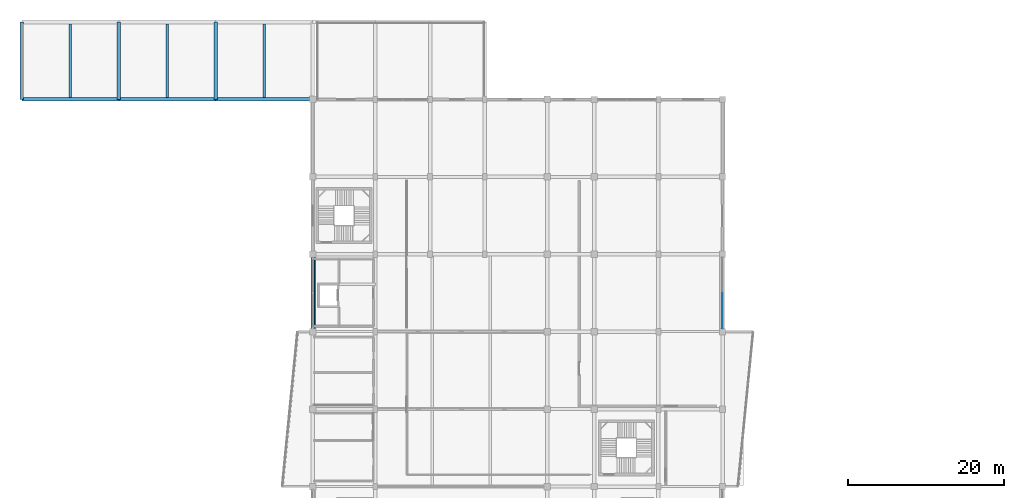
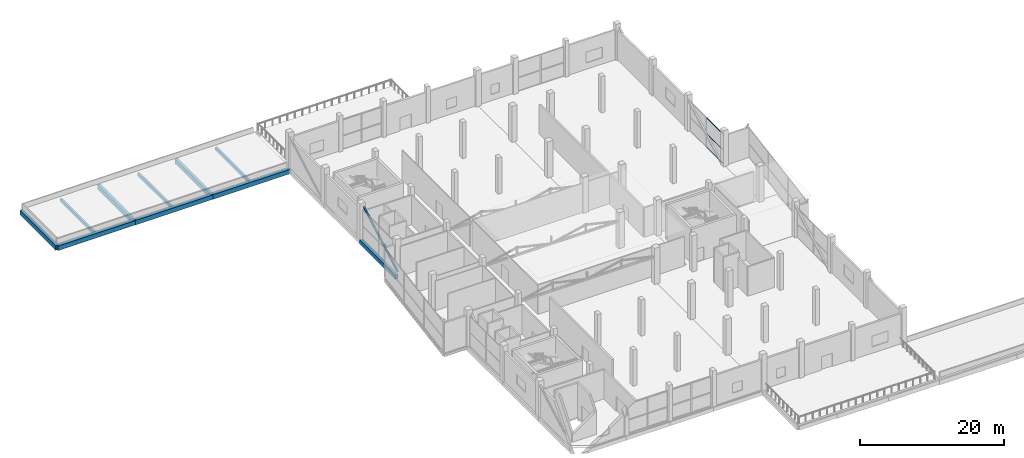
# One storey, part 24 of 58: 10 beams, 4 members, 1 element without a shape of its own.
"""IFC4 building model written with IfcOpenShell, lengths in metres."""

import ifcopenshell
import ifcopenshell.guid

model = None  # the IFC model being written
_history = None  # IfcOwnerHistory: only IFC2X3 demands one
_inside = {}  # id of a spatial element -> (the spatial element, [elements in it])
_under = {}  # id of a project, library or spatial element -> (it, [spatial elements below it])
_declared = {}  # id of a project -> (the project, [libraries it declares])
_typed = {}  # id of a type object -> (the type object, [elements of that type])
_made_of = {}  # id of a material, layer set ... -> (it, [elements and type objects made of it])


def new_model(schema):
    """Start an empty IFC model of exactly this schema.

    Asked for "IFC4X3", IfcOpenShell would pick the latest addendum, in which some entities
    have other attributes; the version numbers below select the first issue.
    IFC2X3 requires an IfcOwnerHistory on every rooted entity: one is made here for all.
    """
    global model, _history
    if schema == "IFC4X3":
        model = ifcopenshell.file(schema_version=(4, 3, 0, 0))
    else:
        model = ifcopenshell.file(schema=schema)
    _inside.clear()
    _under.clear()
    _declared.clear()
    _typed.clear()
    _made_of.clear()
    _history = None
    if model.schema == "IFC2X3":
        org = make("IfcOrganization", Name="unknown")
        user = make(
            "IfcPersonAndOrganization",
            ThePerson=make("IfcPerson", FamilyName="unknown"),
            TheOrganization=org,
        )
        app = make(
            "IfcApplication",
            ApplicationDeveloper=org,
            Version="unknown",
            ApplicationFullName="unknown",
            ApplicationIdentifier="unknown",
        )
        _history = make(
            "IfcOwnerHistory",
            OwningUser=user,
            OwningApplication=app,
            ChangeAction="ADDED",
            CreationDate=0,
        )
    return model


def make(cls, **values):
    """One entity of the class cls with the attributes given. An attribute that is None is left unset."""
    return model.create_entity(
        cls, **{name: value for name, value in values.items() if value is not None}
    )


def rooted(cls, **values):
    """An entity with a GlobalId (a new one), such as an element, a storey or a relation."""
    return make(cls, GlobalId=ifcopenshell.guid.new(), OwnerHistory=_history, **values)


def si_unit(unit_type, name, prefix=None):
    """IfcSIUnit, for example si_unit("LENGTHUNIT", "METRE", prefix="MILLI")."""
    return make("IfcSIUnit", UnitType=unit_type, Prefix=prefix, Name=name)


def assignment(units):
    """IfcUnitAssignment: the units of a project."""
    return None if units is None else make("IfcUnitAssignment", Units=units)


def point(xyz):
    """IfcCartesianPoint."""
    return None if xyz is None else make("IfcCartesianPoint", Coordinates=xyz)


def direction(xyz):
    """IfcDirection."""
    return None if xyz is None else make("IfcDirection", DirectionRatios=xyz)


def frame(location, z_axis=None, x_axis=None):
    """IfcAxis2Placement3D, a coordinate frame: its origin and axes. An axis left out is left unset."""
    return make(
        "IfcAxis2Placement3D",
        Location=point(location),
        Axis=direction(z_axis),
        RefDirection=direction(x_axis),
    )


def frame_2d(location, x_axis=None):
    """IfcAxis2Placement2D, a coordinate frame in the plane: its origin and x axis."""
    return make(
        "IfcAxis2Placement2D", Location=point(location), RefDirection=direction(x_axis)
    )


def origin():
    """The frame at (0, 0, 0) with its axes left unset."""
    return frame((0.0, 0.0, 0.0))


def origin_2d():
    """The frame at (0, 0) in the plane with its x axis left unset."""
    return frame_2d((0.0, 0.0))


def place(relative_to, where):
    """IfcLocalPlacement: puts the frame where relative to a parent placement (None: the world)."""
    return make(
        "IfcLocalPlacement", PlacementRelTo=relative_to, RelativePlacement=where
    )


def context(
    kind, dimensions, precision=None, world=None, true_north=None, identifier=None
):
    """IfcGeometricRepresentationContext, for example the 3D "Model" context."""
    return make(
        "IfcGeometricRepresentationContext",
        ContextIdentifier=identifier,
        ContextType=kind,
        CoordinateSpaceDimension=dimensions,
        Precision=precision,
        WorldCoordinateSystem=world,
        TrueNorth=true_north,
    )


def subcontext(parent, identifier, kind, view, scale=None):
    """IfcGeometricRepresentationSubContext, for example "Body" below "Model"."""
    return make(
        "IfcGeometricRepresentationSubContext",
        ContextIdentifier=identifier,
        ContextType=kind,
        ParentContext=parent,
        TargetScale=scale,
        TargetView=view,
    )


def project(units=None, contexts=None):
    """IfcProject with its units and contexts."""
    return rooted(
        "IfcProject",
        Name="project",
        RepresentationContexts=contexts,
        UnitsInContext=assignment(units),
    )


def spatial(cls, under=None, at=None, **own):
    """A site, building, storey or space (cls), placed at a placement, below another one or the project."""
    s = rooted(cls, ObjectPlacement=at, **own)
    if under is not None:
        _under.setdefault(under.id(), (under, []))[1].append(s)
    return s


def profile(cls, at=None, kind="AREA", **sizes):
    """A parametric profile (cls). Its sizes go by their IFC names, for example OverallWidth=200.0."""
    return make(cls, ProfileType=kind, Position=at, **sizes)


def rectangle(**sizes):
    """IfcRectangleProfileDef."""
    return profile("IfcRectangleProfileDef", **sizes)


def hollow_rectangle(**sizes):
    """IfcRectangleHollowProfileDef."""
    return profile("IfcRectangleHollowProfileDef", **sizes)


def extrude(swept, where, along, depth):
    """IfcExtrudedAreaSolid: the profile swept, set in the frame where, extruded along a direction by depth."""
    return make(
        "IfcExtrudedAreaSolid",
        SweptArea=swept,
        Position=where,
        ExtrudedDirection=direction(along),
        Depth=depth,
    )


def shape(context_of_items, identifier, shape_type, items):
    """IfcShapeRepresentation: the items that make up one representation, for example the "Body"."""
    return make(
        "IfcShapeRepresentation",
        ContextOfItems=context_of_items,
        RepresentationIdentifier=identifier,
        RepresentationType=shape_type,
        Items=items,
    )


def material(Name=None, Category=None):
    """IfcMaterial."""
    return make("IfcMaterial", Name=Name, Category=Category)


def layer(
    of_material, thickness, ventilated=None, Name=None, Category=None, Priority=None
):
    """IfcMaterialLayer: one layer of a wall or slab, of a material (None: an air gap)."""
    return make(
        "IfcMaterialLayer",
        Material=of_material,
        LayerThickness=thickness,
        IsVentilated=ventilated,
        Name=Name,
        Category=Category,
        Priority=Priority,
    )


def layer_set(layers, Name=None):
    """IfcMaterialLayerSet."""
    return make("IfcMaterialLayerSet", MaterialLayers=layers, LayerSetName=Name)


def material_profile(
    of_material, cross_section, Name=None, Category=None, Priority=None
):
    """IfcMaterialProfile: a cross section and its material."""
    return make(
        "IfcMaterialProfile",
        Name=Name,
        Material=of_material,
        Profile=cross_section,
        Priority=Priority,
        Category=Category,
    )


def profile_set(profiles, Name=None, composite=None):
    """IfcMaterialProfileSet."""
    return make(
        "IfcMaterialProfileSet",
        Name=Name,
        MaterialProfiles=profiles,
        CompositeProfile=composite,
    )


def made_of(thing, what):
    """Note that an element or type object is made of a material, layer set ...; save() writes the relation."""
    if what is not None:
        _made_of.setdefault(what.id(), (what, []))[1].append(thing)
    return thing


def type_object(cls, material=None, **own):
    """A type object (cls), such as IfcWallType, which elements share."""
    return made_of(rooted(cls, **own), material)


def element(
    cls,
    number,
    at=None,
    inside=None,
    cuts=None,
    type_object=None,
    material=None,
    context=None,
    identifier="Body",
    shape_type=None,
    held_by="IfcProductDefinitionShape",
    body=None,
    shapes=None,
    **own,
):
    """One element of the class cls, such as IfcWall. Its Tag is "e" and its number.

    at: its placement. inside: the storey or other place that contains it. cuts: it is an
    opening in that element (IfcRelVoidsElement). A single representation is given by context,
    identifier, shape_type and body (its items); several are given by shapes. held_by: the class
    of the entity that holds the representations. save() writes the other relations.
    """
    e = rooted(cls, Tag="e%d" % number, ObjectPlacement=at, **own)
    if body is not None:
        shapes = [shape(context, identifier, shape_type, body)]
    if shapes is not None:
        e.Representation = make(held_by, Representations=shapes)
    if inside is not None:
        _inside.setdefault(inside.id(), (inside, []))[1].append(e)
    if cuts is not None:
        rooted(
            "IfcRelVoidsElement", RelatingBuildingElement=cuts, RelatedOpeningElement=e
        )
    if type_object is not None:
        _typed.setdefault(type_object.id(), (type_object, []))[1].append(e)
    return made_of(e, material)


def aggregate(whole, parts):
    """IfcRelAggregates: a whole, such as a stair, and the parts it consists of."""
    return rooted("IfcRelAggregates", RelatingObject=whole, RelatedObjects=parts)


def save(model, path):
    """Write the relations noted so far, then the file.

    IfcRelAggregates (storeys below a building ...), IfcRelContainedInSpatialStructure (elements
    in a storey), IfcRelDefinesByType, IfcRelAssociatesMaterial and IfcRelDeclares: one each for
    every whole, place, type object, material and project.
    """
    for whole, parts in _under.values():
        aggregate(whole, parts)
    for where, things in _inside.values():
        rooted(
            "IfcRelContainedInSpatialStructure",
            RelatedElements=things,
            RelatingStructure=where,
        )
    for kind, things in _typed.values():
        rooted("IfcRelDefinesByType", RelatedObjects=things, RelatingType=kind)
    for what, things in _made_of.values():
        rooted("IfcRelAssociatesMaterial", RelatedObjects=things, RelatingMaterial=what)
    for by, libraries in _declared.values():
        rooted("IfcRelDeclares", RelatingContext=by, RelatedDefinitions=libraries)
    model.write(path)


model = new_model("IFC4")

# Units and contexts
model_context = context("Model", 3, precision=1e-05, world=origin(), true_north=direction((0.0, 1.0)))
body_context = subcontext(model_context, "Body", "Model", "MODEL_VIEW")
ifc_project = project(units=[si_unit("LENGTHUNIT", "METRE"), si_unit("AREAUNIT", "SQUARE_METRE"), si_unit("VOLUMEUNIT", "CUBIC_METRE"), si_unit("PLANEANGLEUNIT", "RADIAN"), si_unit("MASSUNIT", "GRAM", prefix="KILO")], contexts=[model_context])

# Site, building, storey
site_placement = place(None, origin())
site = spatial("IfcSite", under=ifc_project, at=site_placement, CompositionType="ELEMENT")
building_placement = place(site_placement, origin())
building = spatial("IfcBuilding", under=site, at=building_placement, Name="Sillaruma Civic Art Gallery", CompositionType="ELEMENT")
storey_placement = place(building_placement, frame((0.0, 0.0, 22.43994140625)))
storey = spatial("IfcBuildingStorey", under=building, at=storey_placement, Name="L04", CompositionType="ELEMENT", Elevation=22.43994140625)

# Beams
ifc_material_1 = material(Name="Concrete H40 (40 MPa)", Category="concrete")
ifc_material_profile_1 = material_profile(ifc_material_1, rectangle(XDim=0.449951171875, YDim=0.75, at=origin_2d()), Name="RCB450x750")
ifc_profile_set_1 = profile_set([ifc_material_profile_1], Name="Concrete H40 (40 MPa)")
beam_type_1 = type_object("IfcBeamType", Name="BM-BEAM-RCB450x750", PredefinedType="BEAM", material=ifc_profile_set_1)
for number, where, z_axis, x_axis, name in (
    (1, (24.800048828125, 99.0, -0.635009765625), (0.0, 1.0, 0.0), (-1.0, 0.0, 0.0), "Beam BM-03 (L03:C:11-12)"),
    (2, (37.199951171875, 99.0, -0.635009765625), (0.0, 1.0, 0.0), (-1.0, 0.0, 0.0), "Beam BM-03 (L03:D:11-12)"),
    (3, (49.60009765625, 99.0, -0.635009765625), (0.0, 1.0, 0.0), (-1.0, 0.0, 0.0), "Beam BM-03 (L03:E:11-12)"),
):
    element("IfcBeam", number, at=place(storey_placement, frame(where, z_axis=z_axis, x_axis=x_axis)), inside=storey, type_object=beam_type_1, Name=name, PredefinedType="BEAM", context=body_context, shape_type="SweptSolid", body=[
        extrude(rectangle(XDim=0.449951171875, YDim=0.75, at=origin_2d()), origin(), (0.0, 0.0, 1.0), 9.89990234375),
    ])
ifc_material_2 = material(Name="Concrete H35 (35 MPa)", Category="concrete")
ifc_material_profile_2 = material_profile(ifc_material_2, rectangle(XDim=0.300048828125, YDim=0.52001953125, at=origin_2d()), Name="RCB300x520")
ifc_profile_set_2 = profile_set([ifc_material_profile_2], Name="Concrete H35 (35 MPa)")
beam_type_2 = type_object("IfcBeamType", Name="BM-JOIST-RCB300x520", PredefinedType="JOIST", material=ifc_profile_set_2)
for number, where, z_axis, x_axis, name in (
    (4, (31.0, 99.22509765625, -0.52001953125), (0.0, 1.0, 0.0), (-1.0, 0.0, 0.0), "Floor Joist JR-01 (L03:CD:11-12)"),
    (5, (43.39990234375, 99.22509765625, -0.52001953125), (0.0, 1.0, 0.0), (-1.0, 0.0, 0.0), "Floor Joist JR-01 (L03:DE:11-12)"),
    (6, (55.800048828125, 99.22509765625, -0.52001953125), (0.0, 1.0, 0.0), (-1.0, 0.0, 0.0), "Floor Joist JR-01 (L03:EF:11-12)"),
):
    element("IfcBeam", number, at=place(storey_placement, frame(where, z_axis=z_axis, x_axis=x_axis)), inside=storey, type_object=beam_type_2, Name=name, PredefinedType="JOIST", context=body_context, shape_type="SweptSolid", body=[
        extrude(rectangle(XDim=0.300048828125, YDim=0.52001953125, at=origin_2d()), origin(), (0.0, 0.0, 1.0), 9.4248046875),
    ])
ifc_material_profile_3 = material_profile(ifc_material_2, rectangle(XDim=0.449951171875, YDim=0.699951171875, at=origin_2d()), Name="RCB450x700")
ifc_profile_set_3 = profile_set([ifc_material_profile_3], Name="Concrete H35 (35 MPa)")
beam_type_3 = type_object("IfcBeamType", Name="BM-SPANDREL-RCB450x700", PredefinedType="SPANDREL", material=ifc_profile_set_3)
beam_1_placement = place(storey_placement, frame((62.0, 69.300048828125, -0.60986328125), z_axis=(0.0, 1.0, 0.0), x_axis=(-1.0, 0.0, 0.0)))
element("IfcBeam", 7, at=beam_1_placement, inside=storey, type_object=beam_type_3, Name="Beam BS-03 (L03:F:8-9)", PredefinedType="SPANDREL", context=body_context, shape_type="SweptSolid", body=[
    extrude(rectangle(XDim=0.449951171875, YDim=0.699951171875, at=origin_2d()), origin(), (0.0, 0.0, 1.0), 9.89990234375),
])
ifc_material_profile_4 = material_profile(ifc_material_1, rectangle(XDim=0.449951171875, YDim=0.75, at=origin_2d()), Name="RCB450x750")
ifc_profile_set_4 = profile_set([ifc_material_profile_4], Name="Concrete H40 (40 MPa)")
beam_type_4 = type_object("IfcBeamType", Name="BM-SPANDREL-RCB450x750", PredefinedType="SPANDREL", material=ifc_profile_set_4)
beam_2_placement = place(storey_placement, frame((24.800048828125, 99.0, -0.635009765625), z_axis=(1.0, 0.0, 0.0), x_axis=(0.0, 1.0, 0.0)))
element("IfcBeam", 8, at=beam_2_placement, inside=storey, type_object=beam_type_4, Name="Beam BS-01 (L03:11:C-D)", PredefinedType="SPANDREL", context=body_context, shape_type="SweptSolid", body=[
    extrude(rectangle(XDim=0.449951171875, YDim=0.75, at=origin_2d()), origin(), (0.0, 0.0, 1.0), 12.39990234375),
])
beam_3_placement = place(storey_placement, frame((37.199951171875, 99.0, -0.635009765625), z_axis=(1.0, 0.0, 0.0), x_axis=(0.0, 1.0, 0.0)))
element("IfcBeam", 9, at=beam_3_placement, inside=storey, type_object=beam_type_4, Name="Beam BS-01 (L03:11:D-E)", PredefinedType="SPANDREL", context=body_context, shape_type="SweptSolid", body=[
    extrude(rectangle(XDim=0.449951171875, YDim=0.75, at=origin_2d()), origin(), (0.0, 0.0, 1.0), 12.400146484375),
])
beam_4_placement = place(storey_placement, frame((49.60009765625, 99.0, -0.635009765625), z_axis=(1.0, 0.0, 0.0), x_axis=(0.0, 1.0, 0.0)))
element("IfcBeam", 10, at=beam_4_placement, inside=storey, type_object=beam_type_4, Name="Beam BS-01 (L03:11:E-F)", PredefinedType="SPANDREL", context=body_context, shape_type="SweptSolid", body=[
    extrude(rectangle(XDim=0.449951171875, YDim=0.75, at=origin_2d()), origin(), (0.0, 0.0, 1.0), 12.39990234375),
])

# Member
ifc_material_3 = material(Name="Structural Steel ASTM A500 Gr.C", Category="steel")
ifc_material_profile_5 = material_profile(ifc_material_3, hollow_rectangle(XDim=0.25, YDim=0.25, WallThickness=0.012451171875, InnerFilletRadius=0.012451171875, OuterFilletRadius=0.02490234375, at=origin_2d()), Name="HSS250x250x12.5")
ifc_profile_set_5 = profile_set([ifc_material_profile_5], Name="Structural Steel ASTM A500 Gr.C")
member_type_1 = type_object("IfcMemberType", Name="MEM-MEGA-BRACE", PredefinedType="BRACE", material=ifc_profile_set_5)
member_1_placement = place(storey_placement, frame((62.25, 69.47998046875, 0.1201171875), z_axis=(0.0, 0.873386545904, 0.487027659823), x_axis=(-1.0, 0.0, 0.0)))
element("IfcMember", 11, at=member_1_placement, inside=storey, type_object=member_type_1, Name="Gallery Spine Diagonal Steel Brace (L04-W2)", PredefinedType="BRACE", context=body_context, shape_type="SweptSolid", body=[
    extrude(hollow_rectangle(XDim=0.25, YDim=0.25, WallThickness=0.012451171875, InnerFilletRadius=0.012451171875, OuterFilletRadius=0.02490234375, at=origin_2d()), origin(), (0.0, 0.0, 1.0), 10.923095703125),
])

# Curtain wall, members
ifc_material_4 = material(Name="Thermally Broken Extruded Aluminium 6063-T6", Category="aluminium")
ifc_layer = layer(ifc_material_4, 0.179931640625, Name="Thermally Broken Extruded Aluminium 6063-T6")
ifc_layer_set = layer_set([ifc_layer], Name="Thermally Broken Extruded Aluminium 6063-T6")
curtain_wall_type = type_object("IfcCurtainWallType", Name="CW-UNI-21", PredefinedType="NOTDEFINED", material=ifc_layer_set)
curtain_wall_placement = place(storey_placement, origin())
curtain_wall = element("IfcCurtainWall", 12, at=curtain_wall_placement, inside=storey, type_object=curtain_wall_type, Name="Unitised Curtain Wall CW-21 (CW-L04-E-6)", PredefinedType="NOTDEFINED")
ifc_material_profile_6 = material_profile(ifc_material_4, hollow_rectangle(XDim=0.06494140625, YDim=0.1201171875, WallThickness=0.00341796875, at=origin_2d()), Name="CWT65x120")
ifc_profile_set_6 = profile_set([ifc_material_profile_6], Name="Thermally Broken Extruded Aluminium 6063-T6")
member_type_2 = type_object("IfcMemberType", Name="MEM-TRN-CWT65x120", PredefinedType="USERDEFINED", material=ifc_profile_set_6)
member_2_placement = place(storey_placement, frame((114.39990234375, 69.77001953125, 0.032470703125), z_axis=(0.0, 1.0, 0.0), x_axis=(-1.0, 0.0, 0.0)))
member_2 = element("IfcMember", 13, at=member_2_placement, type_object=member_type_2, Name="CW-21 transom 1.1", ObjectType="TRANSOM", PredefinedType="USERDEFINED", context=body_context, shape_type="SweptSolid", body=[
    extrude(hollow_rectangle(XDim=0.06494140625, YDim=0.1201171875, WallThickness=0.00341796875, at=origin_2d()), origin(), (0.0, 0.0, 1.0), 4.445068359375),
])
member_3_placement = place(storey_placement, frame((114.39990234375, 69.77001953125, 2.32763671875), z_axis=(0.0, 1.0, 0.0), x_axis=(-1.0, 0.0, 0.0)))
member_3 = element("IfcMember", 14, at=member_3_placement, type_object=member_type_2, Name="CW-21 transom 1.2", ObjectType="TRANSOM", PredefinedType="USERDEFINED", context=body_context, shape_type="SweptSolid", body=[
    extrude(hollow_rectangle(XDim=0.06494140625, YDim=0.1201171875, WallThickness=0.00341796875, at=origin_2d()), origin(), (0.0, 0.0, 1.0), 4.445068359375),
])
member_4_placement = place(storey_placement, frame((114.39990234375, 69.77001953125, 5.027587890625), z_axis=(0.0, 1.0, 0.0), x_axis=(-1.0, 0.0, 0.0)))
member_4 = element("IfcMember", 15, at=member_4_placement, type_object=member_type_2, Name="CW-21 transom 1.3", ObjectType="TRANSOM", PredefinedType="USERDEFINED", context=body_context, shape_type="SweptSolid", body=[
    extrude(hollow_rectangle(XDim=0.06494140625, YDim=0.1201171875, WallThickness=0.00341796875, at=origin_2d()), origin(), (0.0, 0.0, 1.0), 4.445068359375),
])
aggregate(curtain_wall, [member_2, member_3, member_4])

save(model, "model.ifc")
